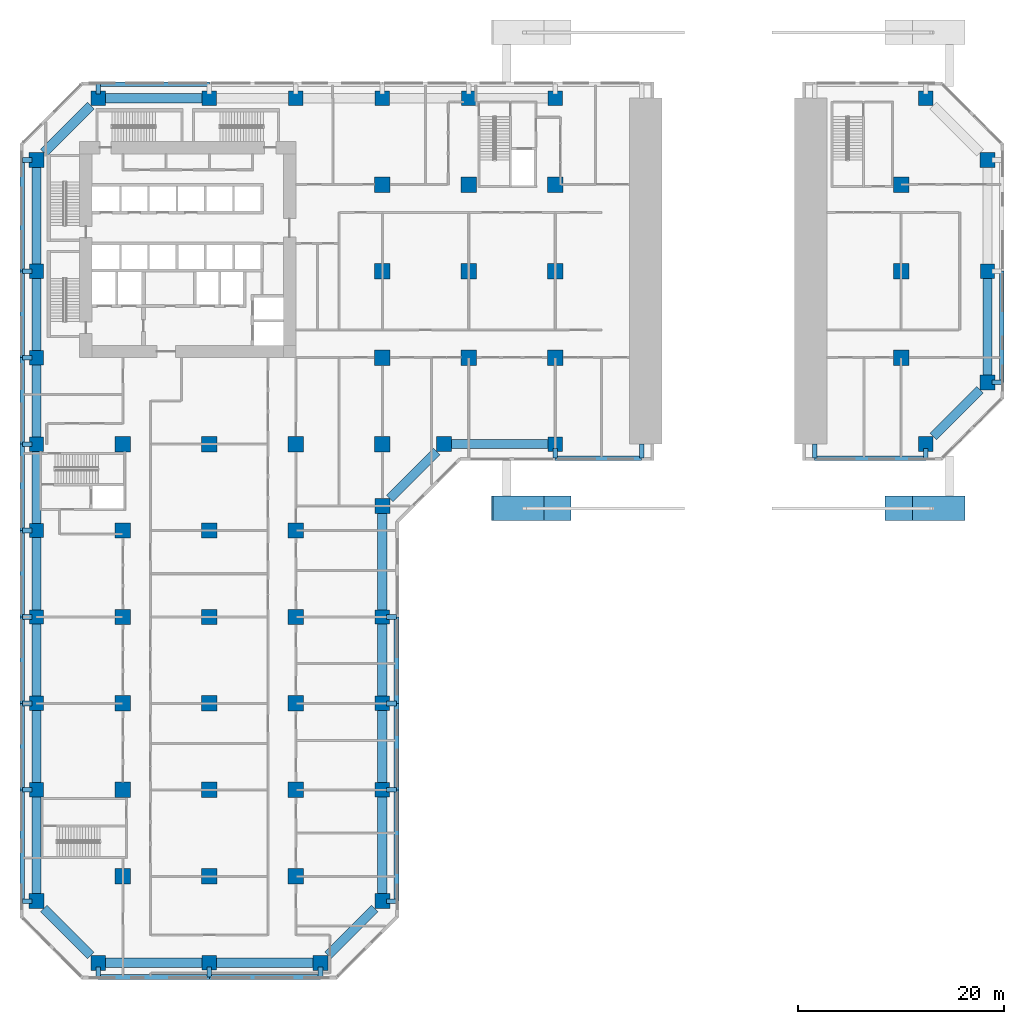
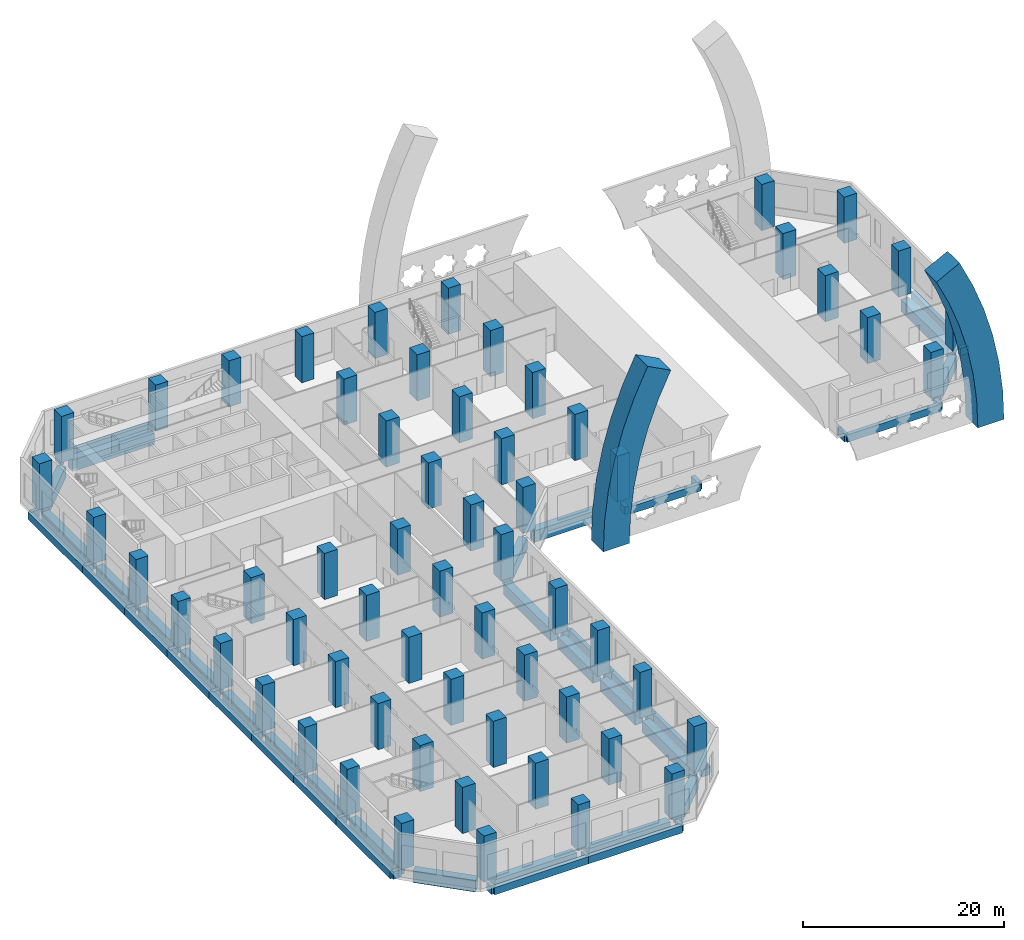
# One storey, part 1 of 19: 61 beams, 61 columns, 2 members.
"""IFC4 building model written with IfcOpenShell, lengths in metres."""

from ifc_helpers import new_model, si_unit, direction, frame, origin, origin_2d, place, context, subcontext, project, spatial, polyline, rectangle, outline, extrude, material, material_profile, profile_set, type_object, element, save


model = new_model("IFC4")

# Units and contexts
model_context = context("Model", 3, precision=1e-05, world=origin(), true_north=direction((0.0, 1.0)))
body_context = subcontext(model_context, "Body", "Model", "MODEL_VIEW")
ifc_project = project(units=[si_unit("LENGTHUNIT", "METRE"), si_unit("AREAUNIT", "SQUARE_METRE"), si_unit("VOLUMEUNIT", "CUBIC_METRE"), si_unit("PLANEANGLEUNIT", "RADIAN"), si_unit("MASSUNIT", "GRAM", prefix="KILO")], contexts=[model_context])

# Site, building, storey
site_placement = place(None, origin())
site = spatial("IfcSite", under=ifc_project, at=site_placement, CompositionType="ELEMENT")
building_placement = place(site_placement, origin())
building = spatial("IfcBuilding", under=site, at=building_placement, Name="Kawkab Arch Medical Tower", CompositionType="ELEMENT")
storey_placement = place(building_placement, frame((0.0, 0.0, 12.60009765625)))
storey = spatial("IfcBuildingStorey", under=building, at=storey_placement, Name="L03", CompositionType="ELEMENT", Elevation=12.60009765625)

# Columns
ifc_material_1 = material(Name="Concrete C60/75", Category="concrete")
ifc_material_profile_1 = material_profile(ifc_material_1, rectangle(XDim=1.39990234375, YDim=1.39990234375, at=origin_2d()), Name="RC 1400x1400")
ifc_profile_set_1 = profile_set([ifc_material_profile_1], Name="Concrete C60/75")
column_type_1 = type_object("IfcColumnType", Name="RC 1400x1400 column C60/75", PredefinedType="COLUMN", material=ifc_profile_set_1)
for number, where, z_axis, x_axis, name in (
    (1, (16.800048828125, 0.0, 0.0), (0.0, 0.0, 1.0), (1.0, 0.0, 0.0), "Column RC 1400x1400"),
    (2, (25.199951171875, 0.0, 0.0), (0.0, 0.0, 1.0), (1.0, 0.0, 0.0), "Column RC 1400x1400"),
    (3, (33.60009765625, 0.0, 0.0), (0.0, 0.0, 1.0), (1.0, 0.0, 0.0), "Column RC 1400x1400"),
    (4, (42.0, 0.0, 0.0), (0.0, 0.0, 1.0), (1.0, 0.0, 0.0), "Column RC 1400x1400"),
    (5, (50.39990234375, 0.0, 0.0), (0.0, 0.0, 1.0), (1.0, 0.0, 0.0), "Column RC 1400x1400"),
    (6, (0.0, -16.800048828125, 0.0), (0.0, 0.0, 1.0), (1.0, 0.0, 0.0), "Column RC 1400x1400"),
    (7, (92.39990234375, -16.800048828125, 0.0), (0.0, 0.0, 1.0), (1.0, 0.0, 0.0), "Column RC 1400x1400"),
    (8, (0.0, -25.199951171875, 0.0), (0.0, 0.0, 1.0), (1.0, 0.0, 0.0), "Column RC 1400x1400"),
    (9, (0.0, -33.60009765625, 0.0), (0.0, 0.0, 1.0), (1.0, 0.0, 0.0), "Column RC 1400x1400"),
    (10, (50.39990234375, -33.60009765625, 0.0), (0.0, 0.0, 1.0), (1.0, 0.0, 0.0), "Column RC 1400x1400"),
    (11, (0.0, -42.0, 0.0), (0.0, 0.0, 1.0), (1.0, 0.0, 0.0), "Column RC 1400x1400"),
    (12, (0.0, -50.39990234375, 0.0), (0.0, 0.0, 1.0), (1.0, 0.0, 0.0), "Column RC 1400x1400"),
    (13, (33.60009765625, -50.39990234375, 0.0), (0.0, 0.0, 1.0), (1.0, 0.0, 0.0), "Column RC 1400x1400"),
    (14, (0.0, -58.800048828125, 0.0), (0.0, 0.0, 1.0), (1.0, 0.0, 0.0), "Column RC 1400x1400"),
    (15, (33.60009765625, -58.800048828125, 0.0), (0.0, 0.0, 1.0), (1.0, 0.0, 0.0), "Column RC 1400x1400"),
    (16, (0.0, -67.199951171875, 0.0), (0.0, 0.0, 1.0), (1.0, 0.0, 0.0), "Column RC 1400x1400"),
    (17, (33.60009765625, -67.199951171875, 0.0), (0.0, 0.0, 1.0), (1.0, 0.0, 0.0), "Column RC 1400x1400"),
    (18, (16.800048828125, -84.0, 0.0), (0.0, 0.0, 1.0), (1.0, 0.0, 0.0), "Column RC 1400x1400"),
):
    element("IfcColumn", number, at=place(storey_placement, frame(where, z_axis=z_axis, x_axis=x_axis)), inside=storey, type_object=column_type_1, Name=name, PredefinedType="COLUMN", context=body_context, shape_type="SweptSolid", body=[
        extrude(rectangle(XDim=1.39990234375, YDim=1.39990234375, at=origin_2d()), origin(), (0.0, 0.0, 1.0), 5.599853515625),
    ])
ifc_material_2 = material(Name="Concrete C60/75", Category="concrete")
ifc_material_profile_2 = material_profile(ifc_material_2, rectangle(XDim=1.449951171875, YDim=1.449951171875, at=origin_2d()), Name="RC 1450x1450")
ifc_profile_set_2 = profile_set([ifc_material_profile_2], Name="Concrete C60/75")
column_type_2 = type_object("IfcColumnType", Name="RC 1450x1450 column C60/75", PredefinedType="COLUMN", material=ifc_profile_set_2)
for number, where, z_axis, x_axis, name in (
    (19, (6.0, 0.0, 0.0), (0.0, 0.0, 1.0), (1.0, 0.0, 0.0), "Column RC 1450x1450"),
    (20, (86.39990234375, 0.0, 0.0), (0.0, 0.0, 1.0), (1.0, 0.0, 0.0), "Column RC 1450x1450"),
    (21, (0.0, -6.0, 0.0), (0.0, 0.0, 1.0), (1.0, 0.0, 0.0), "Column RC 1450x1450"),
    (22, (92.39990234375, -6.0, 0.0), (0.0, 0.0, 1.0), (1.0, 0.0, 0.0), "Column RC 1450x1450"),
    (23, (92.39990234375, -27.60009765625, 0.0), (0.0, 0.0, 1.0), (1.0, 0.0, 0.0), "Column RC 1450x1450"),
    (24, (39.60009765625, -33.60009765625, 0.0), (0.0, 0.0, 1.0), (1.0, 0.0, 0.0), "Column RC 1450x1450"),
    (25, (86.39990234375, -33.60009765625, 0.0), (0.0, 0.0, 1.0), (1.0, 0.0, 0.0), "Column RC 1450x1450"),
    (26, (33.60009765625, -39.60009765625, 0.0), (0.0, 0.0, 1.0), (1.0, 0.0, 0.0), "Column RC 1450x1450"),
    (27, (0.0, -78.0, 0.0), (0.0, 0.0, 1.0), (1.0, 0.0, 0.0), "Column RC 1450x1450"),
    (28, (33.60009765625, -78.0, 0.0), (0.0, 0.0, 1.0), (1.0, 0.0, 0.0), "Column RC 1450x1450"),
    (29, (6.0, -84.0, 0.0), (0.0, 0.0, 1.0), (1.0, 0.0, 0.0), "Column RC 1450x1450"),
    (30, (27.60009765625, -84.0, 0.0), (0.0, 0.0, 1.0), (1.0, 0.0, 0.0), "Column RC 1450x1450"),
):
    element("IfcColumn", number, at=place(storey_placement, frame(where, z_axis=z_axis, x_axis=x_axis)), inside=storey, type_object=column_type_2, Name=name, PredefinedType="COLUMN", context=body_context, shape_type="SweptSolid", body=[
        extrude(rectangle(XDim=1.449951171875, YDim=1.449951171875, at=origin_2d()), origin(), (0.0, 0.0, 1.0), 5.599853515625),
    ])
ifc_material_3 = material(Name="Concrete C60/75", Category="concrete")
ifc_material_profile_3 = material_profile(ifc_material_3, rectangle(XDim=1.5, YDim=1.5, at=origin_2d()), Name="RC 1500x1500")
ifc_profile_set_3 = profile_set([ifc_material_profile_3], Name="Concrete C60/75")
column_type_3 = type_object("IfcColumnType", Name="RC 1500x1500 column C60/75", PredefinedType="COLUMN", material=ifc_profile_set_3)
for number, where, z_axis, x_axis, name in (
    (31, (33.60009765625, -8.39990234375, 0.0), (0.0, 0.0, 1.0), (1.0, 0.0, 0.0), "Column RC 1500x1500"),
    (32, (42.0, -8.39990234375, 0.0), (0.0, 0.0, 1.0), (1.0, 0.0, 0.0), "Column RC 1500x1500"),
    (33, (50.39990234375, -8.39990234375, 0.0), (0.0, 0.0, 1.0), (1.0, 0.0, 0.0), "Column RC 1500x1500"),
):
    element("IfcColumn", number, at=place(storey_placement, frame(where, z_axis=z_axis, x_axis=x_axis)), inside=storey, type_object=column_type_3, Name=name, PredefinedType="COLUMN", context=body_context, shape_type="SweptSolid", body=[
        extrude(rectangle(XDim=1.5, YDim=1.5, at=origin_2d()), origin(), (0.0, 0.0, 1.0), 5.599853515625),
    ])
column_placement = place(storey_placement, frame((84.0, -8.39990234375, 0.0), z_axis=(0.0, 0.0, 1.0), x_axis=(1.0, 0.0, 0.0)))
element("IfcColumn", 34, at=column_placement, inside=storey, type_object=column_type_3, Name="Column RC 1500x1500", PredefinedType="COLUMN", context=body_context, shape_type="SweptSolid", body=[
    extrude(rectangle(XDim=1.5, YDim=1.5, at=origin_2d()), origin(), (0.0, 0.0, 1.0), 5.599853515625),
])
for number, where, z_axis, x_axis, name in (
    (35, (33.60009765625, -16.800048828125, 0.0), (0.0, 0.0, 1.0), (1.0, 0.0, 0.0), "Column RC 1500x1500"),
    (36, (42.0, -16.800048828125, 0.0), (0.0, 0.0, 1.0), (1.0, 0.0, 0.0), "Column RC 1500x1500"),
    (37, (50.39990234375, -16.800048828125, 0.0), (0.0, 0.0, 1.0), (1.0, 0.0, 0.0), "Column RC 1500x1500"),
    (38, (84.0, -16.800048828125, 0.0), (0.0, 0.0, 1.0), (1.0, 0.0, 0.0), "Column RC 1500x1500"),
    (39, (33.60009765625, -25.199951171875, 0.0), (0.0, 0.0, 1.0), (1.0, 0.0, 0.0), "Column RC 1500x1500"),
    (40, (42.0, -25.199951171875, 0.0), (0.0, 0.0, 1.0), (1.0, 0.0, 0.0), "Column RC 1500x1500"),
    (41, (50.39990234375, -25.199951171875, 0.0), (0.0, 0.0, 1.0), (1.0, 0.0, 0.0), "Column RC 1500x1500"),
    (42, (84.0, -25.199951171875, 0.0), (0.0, 0.0, 1.0), (1.0, 0.0, 0.0), "Column RC 1500x1500"),
    (43, (8.39990234375, -33.60009765625, 0.0), (0.0, 0.0, 1.0), (1.0, 0.0, 0.0), "Column RC 1500x1500"),
    (44, (16.800048828125, -33.60009765625, 0.0), (0.0, 0.0, 1.0), (1.0, 0.0, 0.0), "Column RC 1500x1500"),
    (45, (25.199951171875, -33.60009765625, 0.0), (0.0, 0.0, 1.0), (1.0, 0.0, 0.0), "Column RC 1500x1500"),
    (46, (33.60009765625, -33.60009765625, 0.0), (0.0, 0.0, 1.0), (1.0, 0.0, 0.0), "Column RC 1500x1500"),
    (47, (8.39990234375, -42.0, 0.0), (0.0, 0.0, 1.0), (1.0, 0.0, 0.0), "Column RC 1500x1500"),
    (48, (16.800048828125, -42.0, 0.0), (0.0, 0.0, 1.0), (1.0, 0.0, 0.0), "Column RC 1500x1500"),
    (49, (25.199951171875, -42.0, 0.0), (0.0, 0.0, 1.0), (1.0, 0.0, 0.0), "Column RC 1500x1500"),
    (50, (8.39990234375, -50.39990234375, 0.0), (0.0, 0.0, 1.0), (1.0, 0.0, 0.0), "Column RC 1500x1500"),
    (51, (16.800048828125, -50.39990234375, 0.0), (0.0, 0.0, 1.0), (1.0, 0.0, 0.0), "Column RC 1500x1500"),
    (52, (25.199951171875, -50.39990234375, 0.0), (0.0, 0.0, 1.0), (1.0, 0.0, 0.0), "Column RC 1500x1500"),
    (53, (8.39990234375, -58.800048828125, 0.0), (0.0, 0.0, 1.0), (1.0, 0.0, 0.0), "Column RC 1500x1500"),
    (54, (16.800048828125, -58.800048828125, 0.0), (0.0, 0.0, 1.0), (1.0, 0.0, 0.0), "Column RC 1500x1500"),
    (55, (25.199951171875, -58.800048828125, 0.0), (0.0, 0.0, 1.0), (1.0, 0.0, 0.0), "Column RC 1500x1500"),
    (56, (8.39990234375, -67.199951171875, 0.0), (0.0, 0.0, 1.0), (1.0, 0.0, 0.0), "Column RC 1500x1500"),
    (57, (16.800048828125, -67.199951171875, 0.0), (0.0, 0.0, 1.0), (1.0, 0.0, 0.0), "Column RC 1500x1500"),
    (58, (25.199951171875, -67.199951171875, 0.0), (0.0, 0.0, 1.0), (1.0, 0.0, 0.0), "Column RC 1500x1500"),
    (59, (8.39990234375, -75.60009765625, 0.0), (0.0, 0.0, 1.0), (1.0, 0.0, 0.0), "Column RC 1500x1500"),
    (60, (16.800048828125, -75.60009765625, 0.0), (0.0, 0.0, 1.0), (1.0, 0.0, 0.0), "Column RC 1500x1500"),
    (61, (25.199951171875, -75.60009765625, 0.0), (0.0, 0.0, 1.0), (1.0, 0.0, 0.0), "Column RC 1500x1500"),
):
    element("IfcColumn", number, at=place(storey_placement, frame(where, z_axis=z_axis, x_axis=x_axis)), inside=storey, type_object=column_type_3, Name=name, PredefinedType="COLUMN", context=body_context, shape_type="SweptSolid", body=[
        extrude(rectangle(XDim=1.5, YDim=1.5, at=origin_2d()), origin(), (0.0, 0.0, 1.0), 5.599853515625),
    ])

# Members
ifc_material_4 = material(Name="Concrete C60/75", Category="concrete")
member_type = type_object("IfcMemberType", Name="Arch rib segment 3000 C60/75", PredefinedType="STRUT", material=ifc_material_4)
placement = place(storey_placement, frame((0.0, -38.64990234375, -12.60009765625), z_axis=(0.0, -1.0, 0.0), x_axis=(1.0, 0.0, 0.0)))
element("IfcMember", 62, at=placement, inside=storey, type_object=member_type, Name="Portal arch rib SW", PredefinedType="STRUT", context=body_context, shape_type="SweptSolid", body=[
    extrude(outline(polyline([(47.199951171875, 12.60009765625), (47.33544921875, 15.94970703125), (47.73779296875, 19.27783203125), (48.40673828125, 22.562744140625), (49.33642578125, 25.7841796875), (50.52099609375, 28.920654296875), (51.953369140625, 31.95166015625), (49.29248046875, 33.34228515625), (47.757080078125, 30.093505859375), (46.487548828125, 26.731689453125), (45.4912109375, 23.279296875), (44.774169921875, 19.758056640625), (44.342529296875, 16.190185546875), (44.199951171875, 12.60009765625), (47.199951171875, 12.60009765625)])), origin(), (0.0, 0.0, 1.0), 2.400146484375),
])
element("IfcMember", 63, at=placement, inside=storey, type_object=member_type, Name="Portal arch rib SE", PredefinedType="STRUT", context=body_context, shape_type="SweptSolid", body=[
    extrude(outline(polyline([(82.446533203125, 31.95166015625), (83.879150390625, 28.920654296875), (85.0634765625, 25.7841796875), (85.9931640625, 22.562744140625), (86.662109375, 19.27783203125), (87.064697265625, 15.94970703125), (87.199951171875, 12.60009765625), (90.199951171875, 12.60009765625), (90.057373046875, 16.190185546875), (89.6259765625, 19.758056640625), (88.90869140625, 23.279296875), (87.91259765625, 26.731689453125), (86.642822265625, 30.093505859375), (85.107421875, 33.34228515625), (82.446533203125, 31.95166015625)])), origin(), (0.0, 0.0, 1.0), 2.400146484375),
])

# Beams
ifc_material_5 = material(Name="Concrete C60/75", Category="concrete")
ifc_material_profile_4 = material_profile(ifc_material_5, rectangle(XDim=0.449951171875, YDim=0.89990234375, at=origin_2d()), Name="RC 450x900")
ifc_profile_set_4 = profile_set([ifc_material_profile_4], Name="Concrete C60/75")
beam_type_1 = type_object("IfcBeamType", Name="Podium edge beam RC 450x900 C60/75", PredefinedType="BEAM", material=ifc_profile_set_4)
beam_1_placement = place(storey_placement, frame((50.39990234375, -34.97509765625, -0.800048828125), z_axis=(1.0, 0.0, 0.0), x_axis=(0.0, 1.0, 0.0)))
element("IfcBeam", 64, at=beam_1_placement, inside=storey, type_object=beam_type_1, Name="Podium edge beam L03 R02.1", PredefinedType="BEAM", context=body_context, shape_type="SweptSolid", body=[
    extrude(rectangle(XDim=0.449951171875, YDim=0.89990234375, at=origin_2d()), origin(), (0.0, 0.0, 1.0), 8.400146484375),
])
beam_2_placement = place(storey_placement, frame((50.39990234375, -34.02490234375, -0.800048828125), z_axis=(0.0, -1.0, 0.0), x_axis=(1.0, 0.0, 0.0)))
element("IfcBeam", 65, at=beam_2_placement, inside=storey, type_object=beam_type_1, Name="Podium cantilever beam L03 R02.1", PredefinedType="BEAM", context=body_context, shape_type="SweptSolid", body=[
    extrude(rectangle(XDim=0.449951171875, YDim=0.89990234375, at=origin_2d()), origin(), (0.0, 0.0, 1.0), 0.9501953125),
])
beam_3_placement = place(storey_placement, frame((58.800048828125, -33.590087890625, -0.800048828125), z_axis=(0.0, -1.0, 0.0), x_axis=(1.0, 0.0, 0.0)))
element("IfcBeam", 66, at=beam_3_placement, inside=storey, type_object=beam_type_1, Name="Podium cantilever beam L03 R02.2", PredefinedType="BEAM", context=body_context, shape_type="SweptSolid", body=[
    extrude(rectangle(XDim=0.449951171875, YDim=0.89990234375, at=origin_2d()), origin(), (0.0, 0.0, 1.0), 1.385009765625),
])
beam_4_placement = place(storey_placement, frame((16.800048828125, 1.375, -0.800048828125), z_axis=(-1.0, 0.0, 0.0), x_axis=(0.0, -1.0, 0.0)))
element("IfcBeam", 67, at=beam_4_placement, inside=storey, type_object=beam_type_1, Name="Podium edge beam L03 R04.6", PredefinedType="BEAM", context=body_context, shape_type="SweptSolid", body=[
    extrude(rectangle(XDim=0.449951171875, YDim=0.89990234375, at=origin_2d()), origin(), (0.0, 0.0, 1.0), 10.800048828125),
])
beam_5_placement = place(storey_placement, frame((6.0, 0.425048828125, -0.800048828125), z_axis=(0.0, 1.0, 0.0), x_axis=(-1.0, 0.0, 0.0)))
element("IfcBeam", 68, at=beam_5_placement, inside=storey, type_object=beam_type_1, Name="Podium cantilever beam L03 R04.7", PredefinedType="BEAM", context=body_context, shape_type="SweptSolid", body=[
    extrude(rectangle(XDim=0.449951171875, YDim=0.89990234375, at=origin_2d()), origin(), (0.0, 0.0, 1.0), 0.949951171875),
])
beam_6_placement = place(storey_placement, frame((-1.375, -6.0, -0.800048828125), z_axis=(0.0, -1.0, 0.0), x_axis=(1.0, 0.0, 0.0)))
element("IfcBeam", 69, at=beam_6_placement, inside=storey, type_object=beam_type_1, Name="Podium edge beam L03 R06.1", PredefinedType="BEAM", context=body_context, shape_type="SweptSolid", body=[
    extrude(rectangle(XDim=0.449951171875, YDim=0.89990234375, at=origin_2d()), origin(), (0.0, 0.0, 1.0), 10.800048828125),
])
beam_7_placement = place(storey_placement, frame((-1.375, -16.800048828125, -0.800048828125), z_axis=(0.0, -1.0, 0.0), x_axis=(1.0, 0.0, 0.0)))
element("IfcBeam", 70, at=beam_7_placement, inside=storey, type_object=beam_type_1, Name="Podium edge beam L03 R06.2", PredefinedType="BEAM", context=body_context, shape_type="SweptSolid", body=[
    extrude(rectangle(XDim=0.449951171875, YDim=0.89990234375, at=origin_2d()), origin(), (0.0, 0.0, 1.0), 8.39990234375),
])
beam_8_placement = place(storey_placement, frame((-1.375, -25.199951171875, -0.800048828125), z_axis=(0.0, -1.0, 0.0), x_axis=(1.0, 0.0, 0.0)))
element("IfcBeam", 71, at=beam_8_placement, inside=storey, type_object=beam_type_1, Name="Podium edge beam L03 R06.3", PredefinedType="BEAM", context=body_context, shape_type="SweptSolid", body=[
    extrude(rectangle(XDim=0.449951171875, YDim=0.89990234375, at=origin_2d()), origin(), (0.0, 0.0, 1.0), 8.400146484375),
])
for number, where, z_axis, x_axis, name in (
    (72, (-1.375, -33.60009765625, -0.800048828125), (0.0, -1.0, 0.0), (1.0, 0.0, 0.0), "Podium edge beam L03 R06.4"),
    (73, (-1.375, -42.0, -0.800048828125), (0.0, -1.0, 0.0), (1.0, 0.0, 0.0), "Podium edge beam L03 R06.5"),
):
    element("IfcBeam", number, at=place(storey_placement, frame(where, z_axis=z_axis, x_axis=x_axis)), inside=storey, type_object=beam_type_1, Name=name, PredefinedType="BEAM", context=body_context, shape_type="SweptSolid", body=[
        extrude(rectangle(XDim=0.449951171875, YDim=0.89990234375, at=origin_2d()), origin(), (0.0, 0.0, 1.0), 8.39990234375),
    ])
beam_9_placement = place(storey_placement, frame((-1.375, -50.39990234375, -0.800048828125), z_axis=(0.0, -1.0, 0.0), x_axis=(1.0, 0.0, 0.0)))
element("IfcBeam", 74, at=beam_9_placement, inside=storey, type_object=beam_type_1, Name="Podium edge beam L03 R06.6", PredefinedType="BEAM", context=body_context, shape_type="SweptSolid", body=[
    extrude(rectangle(XDim=0.449951171875, YDim=0.89990234375, at=origin_2d()), origin(), (0.0, 0.0, 1.0), 8.400146484375),
])
beam_10_placement = place(storey_placement, frame((-1.375, -58.800048828125, -0.800048828125), z_axis=(0.0, -1.0, 0.0), x_axis=(1.0, 0.0, 0.0)))
element("IfcBeam", 75, at=beam_10_placement, inside=storey, type_object=beam_type_1, Name="Podium edge beam L03 R06.7", PredefinedType="BEAM", context=body_context, shape_type="SweptSolid", body=[
    extrude(rectangle(XDim=0.449951171875, YDim=0.89990234375, at=origin_2d()), origin(), (0.0, 0.0, 1.0), 8.39990234375),
])
beam_11_placement = place(storey_placement, frame((-1.375, -67.199951171875, -0.800048828125), z_axis=(0.0, -1.0, 0.0), x_axis=(1.0, 0.0, 0.0)))
element("IfcBeam", 76, at=beam_11_placement, inside=storey, type_object=beam_type_1, Name="Podium edge beam L03 R06.8", PredefinedType="BEAM", context=body_context, shape_type="SweptSolid", body=[
    extrude(rectangle(XDim=0.449951171875, YDim=0.89990234375, at=origin_2d()), origin(), (0.0, 0.0, 1.0), 10.800048828125),
])
for number, where, z_axis, x_axis, name in (
    (77, (-0.425048828125, -6.0, -0.800048828125), (-1.0, 0.0, 0.0), (0.0, -1.0, 0.0), "Podium cantilever beam L03 R06.1"),
    (78, (-0.425048828125, -16.800048828125, -0.800048828125), (-1.0, 0.0, 0.0), (0.0, -1.0, 0.0), "Podium cantilever beam L03 R06.2"),
    (79, (-0.425048828125, -25.199951171875, -0.800048828125), (-1.0, 0.0, 0.0), (0.0, -1.0, 0.0), "Podium cantilever beam L03 R06.3"),
    (80, (-0.425048828125, -33.60009765625, -0.800048828125), (-1.0, 0.0, 0.0), (0.0, -1.0, 0.0), "Podium cantilever beam L03 R06.4"),
    (81, (-0.425048828125, -42.0, -0.800048828125), (-1.0, 0.0, 0.0), (0.0, -1.0, 0.0), "Podium cantilever beam L03 R06.5"),
    (82, (-0.425048828125, -50.39990234375, -0.800048828125), (-1.0, 0.0, 0.0), (0.0, -1.0, 0.0), "Podium cantilever beam L03 R06.6"),
    (83, (-0.425048828125, -58.800048828125, -0.800048828125), (-1.0, 0.0, 0.0), (0.0, -1.0, 0.0), "Podium cantilever beam L03 R06.7"),
    (84, (-0.425048828125, -67.199951171875, -0.800048828125), (-1.0, 0.0, 0.0), (0.0, -1.0, 0.0), "Podium cantilever beam L03 R06.8"),
    (85, (-0.425048828125, -78.0, -0.800048828125), (-1.0, 0.0, 0.0), (0.0, -1.0, 0.0), "Podium cantilever beam L03 R06.9"),
):
    element("IfcBeam", number, at=place(storey_placement, frame(where, z_axis=z_axis, x_axis=x_axis)), inside=storey, type_object=beam_type_1, Name=name, PredefinedType="BEAM", context=body_context, shape_type="SweptSolid", body=[
        extrude(rectangle(XDim=0.449951171875, YDim=0.89990234375, at=origin_2d()), origin(), (0.0, 0.0, 1.0), 0.949951171875),
    ])
for number, where, z_axis, x_axis, name in (
    (86, (6.0, -85.375, -0.800048828125), (1.0, 0.0, 0.0), (0.0, 1.0, 0.0), "Podium edge beam L03 R08.1"),
    (87, (16.800048828125, -85.375, -0.800048828125), (1.0, 0.0, 0.0), (0.0, 1.0, 0.0), "Podium edge beam L03 R08.2"),
):
    element("IfcBeam", number, at=place(storey_placement, frame(where, z_axis=z_axis, x_axis=x_axis)), inside=storey, type_object=beam_type_1, Name=name, PredefinedType="BEAM", context=body_context, shape_type="SweptSolid", body=[
        extrude(rectangle(XDim=0.449951171875, YDim=0.89990234375, at=origin_2d()), origin(), (0.0, 0.0, 1.0), 10.800048828125),
    ])
for number, where, z_axis, x_axis, name in (
    (88, (6.0, -84.425048828125, -0.800048828125), (0.0, -1.0, 0.0), (1.0, 0.0, 0.0), "Podium cantilever beam L03 R08.1"),
    (89, (16.800048828125, -84.425048828125, -0.800048828125), (0.0, -1.0, 0.0), (1.0, 0.0, 0.0), "Podium cantilever beam L03 R08.2"),
    (90, (27.60009765625, -84.425048828125, -0.800048828125), (0.0, -1.0, 0.0), (1.0, 0.0, 0.0), "Podium cantilever beam L03 R08.3"),
):
    element("IfcBeam", number, at=place(storey_placement, frame(where, z_axis=z_axis, x_axis=x_axis)), inside=storey, type_object=beam_type_1, Name=name, PredefinedType="BEAM", context=body_context, shape_type="SweptSolid", body=[
        extrude(rectangle(XDim=0.449951171875, YDim=0.89990234375, at=origin_2d()), origin(), (0.0, 0.0, 1.0), 0.949951171875),
    ])
beam_12_placement = place(storey_placement, frame((34.97509765625, -78.0, -0.800048828125), z_axis=(0.0, 1.0, 0.0), x_axis=(-1.0, 0.0, 0.0)))
element("IfcBeam", 91, at=beam_12_placement, inside=storey, type_object=beam_type_1, Name="Podium edge beam L03 R10.1", PredefinedType="BEAM", context=body_context, shape_type="SweptSolid", body=[
    extrude(rectangle(XDim=0.449951171875, YDim=0.89990234375, at=origin_2d()), origin(), (0.0, 0.0, 1.0), 10.800048828125),
])
beam_13_placement = place(storey_placement, frame((34.97509765625, -67.199951171875, -0.800048828125), z_axis=(0.0, 1.0, 0.0), x_axis=(-1.0, 0.0, 0.0)))
element("IfcBeam", 92, at=beam_13_placement, inside=storey, type_object=beam_type_1, Name="Podium edge beam L03 R10.2", PredefinedType="BEAM", context=body_context, shape_type="SweptSolid", body=[
    extrude(rectangle(XDim=0.449951171875, YDim=0.89990234375, at=origin_2d()), origin(), (0.0, 0.0, 1.0), 8.39990234375),
])
beam_14_placement = place(storey_placement, frame((34.97509765625, -58.800048828125, -0.800048828125), z_axis=(0.0, 1.0, 0.0), x_axis=(-1.0, 0.0, 0.0)))
element("IfcBeam", 93, at=beam_14_placement, inside=storey, type_object=beam_type_1, Name="Podium edge beam L03 R10.3", PredefinedType="BEAM", context=body_context, shape_type="SweptSolid", body=[
    extrude(rectangle(XDim=0.449951171875, YDim=0.89990234375, at=origin_2d()), origin(), (0.0, 0.0, 1.0), 8.400146484375),
])
for number, where, z_axis, x_axis, name in (
    (94, (34.02490234375, -78.0, -0.800048828125), (1.0, 0.0, 0.0), (0.0, 1.0, 0.0), "Podium cantilever beam L03 R10.1"),
    (95, (34.02490234375, -67.199951171875, -0.800048828125), (1.0, 0.0, 0.0), (0.0, 1.0, 0.0), "Podium cantilever beam L03 R10.2"),
    (96, (34.02490234375, -58.800048828125, -0.800048828125), (1.0, 0.0, 0.0), (0.0, 1.0, 0.0), "Podium cantilever beam L03 R10.3"),
    (97, (34.02490234375, -50.39990234375, -0.800048828125), (1.0, 0.0, 0.0), (0.0, 1.0, 0.0), "Podium cantilever beam L03 R10.4"),
):
    element("IfcBeam", number, at=place(storey_placement, frame(where, z_axis=z_axis, x_axis=x_axis)), inside=storey, type_object=beam_type_1, Name=name, PredefinedType="BEAM", context=body_context, shape_type="SweptSolid", body=[
        extrude(rectangle(XDim=0.449951171875, YDim=0.89990234375, at=origin_2d()), origin(), (0.0, 0.0, 1.0), 0.9501953125),
    ])
beam_15_placement = place(storey_placement, frame((75.60009765625, -34.97509765625, -0.800048828125), z_axis=(1.0, 0.0, 0.0), x_axis=(0.0, 1.0, 0.0)))
element("IfcBeam", 98, at=beam_15_placement, inside=storey, type_object=beam_type_1, Name="Podium edge beam L03 R14.1", PredefinedType="BEAM", context=body_context, shape_type="SweptSolid", body=[
    extrude(rectangle(XDim=0.449951171875, YDim=0.89990234375, at=origin_2d()), origin(), (0.0, 0.0, 1.0), 10.7998046875),
])
beam_16_placement = place(storey_placement, frame((75.60009765625, -33.590087890625, -0.800048828125), z_axis=(0.0, -1.0, 0.0), x_axis=(1.0, 0.0, 0.0)))
element("IfcBeam", 99, at=beam_16_placement, inside=storey, type_object=beam_type_1, Name="Podium cantilever beam L03 R14.1", PredefinedType="BEAM", context=body_context, shape_type="SweptSolid", body=[
    extrude(rectangle(XDim=0.449951171875, YDim=0.89990234375, at=origin_2d()), origin(), (0.0, 0.0, 1.0), 1.385009765625),
])
beam_17_placement = place(storey_placement, frame((86.39990234375, -34.02490234375, -0.800048828125), z_axis=(0.0, -1.0, 0.0), x_axis=(1.0, 0.0, 0.0)))
element("IfcBeam", 100, at=beam_17_placement, inside=storey, type_object=beam_type_1, Name="Podium cantilever beam L03 R14.2", PredefinedType="BEAM", context=body_context, shape_type="SweptSolid", body=[
    extrude(rectangle(XDim=0.449951171875, YDim=0.89990234375, at=origin_2d()), origin(), (0.0, 0.0, 1.0), 0.9501953125),
])
beam_18_placement = place(storey_placement, frame((93.77490234375, -27.60009765625, -0.800048828125), z_axis=(0.0, 1.0, 0.0), x_axis=(-1.0, 0.0, 0.0)))
element("IfcBeam", 101, at=beam_18_placement, inside=storey, type_object=beam_type_1, Name="Podium edge beam L03 R16.1", PredefinedType="BEAM", context=body_context, shape_type="SweptSolid", body=[
    extrude(rectangle(XDim=0.449951171875, YDim=0.89990234375, at=origin_2d()), origin(), (0.0, 0.0, 1.0), 10.800048828125),
])
beam_19_placement = place(storey_placement, frame((92.824951171875, -27.60009765625, -0.800048828125), z_axis=(1.0, 0.0, 0.0), x_axis=(0.0, 1.0, 0.0)))
element("IfcBeam", 102, at=beam_19_placement, inside=storey, type_object=beam_type_1, Name="Podium cantilever beam L03 R16.1", PredefinedType="BEAM", context=body_context, shape_type="SweptSolid", body=[
    extrude(rectangle(XDim=0.449951171875, YDim=0.89990234375, at=origin_2d()), origin(), (0.0, 0.0, 1.0), 0.949951171875),
])
ifc_material_6 = material(Name="Concrete C60/75", Category="concrete")
ifc_material_profile_5 = material_profile(ifc_material_6, rectangle(XDim=0.89990234375, YDim=1.39990234375, at=origin_2d()), Name="RC 900x1400")
ifc_profile_set_5 = profile_set([ifc_material_profile_5], Name="Concrete C60/75")
beam_type_2 = type_object("IfcBeamType", Name="RC 900x1400 beam C60/75", PredefinedType="BEAM", material=ifc_profile_set_5)
beam_20_placement = place(storey_placement, frame((0.0, -6.72509765625, -1.050048828125), z_axis=(0.0, -1.0, 0.0), x_axis=(1.0, 0.0, 0.0)))
element("IfcBeam", 103, at=beam_20_placement, inside=storey, type_object=beam_type_2, Name="Podium edge beam L03-01", PredefinedType="BEAM", context=body_context, shape_type="SweptSolid", body=[
    extrude(rectangle(XDim=0.89990234375, YDim=1.39990234375, at=origin_2d()), origin(), (0.0, 0.0, 1.0), 9.375),
])
for number, where, z_axis, x_axis, name in (
    (104, (0.0, -17.5, -1.050048828125), (0.0, -1.0, 0.0), (1.0, 0.0, 0.0), "Podium edge beam L03-02"),
    (105, (0.0, -25.89990234375, -1.050048828125), (0.0, -1.0, 0.0), (1.0, 0.0, 0.0), "Podium edge beam L03-03"),
    (106, (0.0, -34.300048828125, -1.050048828125), (0.0, -1.0, 0.0), (1.0, 0.0, 0.0), "Podium edge beam L03-04"),
    (107, (0.0, -42.699951171875, -1.050048828125), (0.0, -1.0, 0.0), (1.0, 0.0, 0.0), "Podium edge beam L03-05"),
    (108, (0.0, -51.10009765625, -1.050048828125), (0.0, -1.0, 0.0), (1.0, 0.0, 0.0), "Podium edge beam L03-06"),
    (109, (0.0, -59.5, -1.050048828125), (0.0, -1.0, 0.0), (1.0, 0.0, 0.0), "Podium edge beam L03-07"),
):
    element("IfcBeam", number, at=place(storey_placement, frame(where, z_axis=z_axis, x_axis=x_axis)), inside=storey, type_object=beam_type_2, Name=name, PredefinedType="BEAM", context=body_context, shape_type="SweptSolid", body=[
        extrude(rectangle(XDim=0.89990234375, YDim=1.39990234375, at=origin_2d()), origin(), (0.0, 0.0, 1.0), 7.0),
    ])
beam_21_placement = place(storey_placement, frame((0.0, -67.89990234375, -1.050048828125), z_axis=(0.0, -1.0, 0.0), x_axis=(1.0, 0.0, 0.0)))
element("IfcBeam", 110, at=beam_21_placement, inside=storey, type_object=beam_type_2, Name="Podium edge beam L03-08", PredefinedType="BEAM", context=body_context, shape_type="SweptSolid", body=[
    extrude(rectangle(XDim=0.89990234375, YDim=1.39990234375, at=origin_2d()), origin(), (0.0, 0.0, 1.0), 9.375),
])
beam_22_placement = place(storey_placement, frame((0.72509765625, -78.72509765625, -1.050048828125), z_axis=(0.707106781187, -0.707106781187, 0.0), x_axis=(0.707106781187, 0.707106781187, 0.0)))
element("IfcBeam", 111, at=beam_22_placement, inside=storey, type_object=beam_type_2, Name="Podium edge beam L03-09", PredefinedType="BEAM", context=body_context, shape_type="SweptSolid", body=[
    extrude(rectangle(XDim=0.89990234375, YDim=1.39990234375, at=origin_2d()), origin(), (0.0, 0.0, 1.0), 6.434326171875),
])
for number, where, z_axis, x_axis, name in (
    (112, (6.72509765625, -84.0, -1.050048828125), (1.0, 0.0, 0.0), (0.0, 1.0, 0.0), "Podium edge beam L03-10"),
    (113, (17.5, -84.0, -1.050048828125), (1.0, 0.0, 0.0), (0.0, 1.0, 0.0), "Podium edge beam L03-11"),
):
    element("IfcBeam", number, at=place(storey_placement, frame(where, z_axis=z_axis, x_axis=x_axis)), inside=storey, type_object=beam_type_2, Name=name, PredefinedType="BEAM", context=body_context, shape_type="SweptSolid", body=[
        extrude(rectangle(XDim=0.89990234375, YDim=1.39990234375, at=origin_2d()), origin(), (0.0, 0.0, 1.0), 9.375),
    ])
beam_23_placement = place(storey_placement, frame((28.324951171875, -83.27490234375, -1.050048828125), z_axis=(0.707125751951, 0.707087809913, 0.0), x_axis=(-0.707087809913, 0.707125751951, 0.0)))
element("IfcBeam", 114, at=beam_23_placement, inside=storey, type_object=beam_type_2, Name="Podium edge beam L03-12", PredefinedType="BEAM", context=body_context, shape_type="SweptSolid", body=[
    extrude(rectangle(XDim=0.89990234375, YDim=1.39990234375, at=origin_2d()), origin(), (0.0, 0.0, 1.0), 6.4345703125),
])
beam_24_placement = place(storey_placement, frame((33.60009765625, -77.27490234375, -1.050048828125), z_axis=(0.0, 1.0, 0.0), x_axis=(-1.0, 0.0, 0.0)))
element("IfcBeam", 115, at=beam_24_placement, inside=storey, type_object=beam_type_2, Name="Podium edge beam L03-13", PredefinedType="BEAM", context=body_context, shape_type="SweptSolid", body=[
    extrude(rectangle(XDim=0.89990234375, YDim=1.39990234375, at=origin_2d()), origin(), (0.0, 0.0, 1.0), 9.375),
])
for number, where, z_axis, x_axis, name in (
    (116, (33.60009765625, -66.5, -1.050048828125), (0.0, 1.0, 0.0), (-1.0, 0.0, 0.0), "Podium edge beam L03-14"),
    (117, (33.60009765625, -58.10009765625, -1.050048828125), (0.0, 1.0, 0.0), (-1.0, 0.0, 0.0), "Podium edge beam L03-15"),
):
    element("IfcBeam", number, at=place(storey_placement, frame(where, z_axis=z_axis, x_axis=x_axis)), inside=storey, type_object=beam_type_2, Name=name, PredefinedType="BEAM", context=body_context, shape_type="SweptSolid", body=[
        extrude(rectangle(XDim=0.89990234375, YDim=1.39990234375, at=origin_2d()), origin(), (0.0, 0.0, 1.0), 7.0),
    ])
beam_25_placement = place(storey_placement, frame((33.60009765625, -49.699951171875, -1.050048828125), z_axis=(0.0, 1.0, 0.0), x_axis=(-1.0, 0.0, 0.0)))
element("IfcBeam", 118, at=beam_25_placement, inside=storey, type_object=beam_type_2, Name="Podium edge beam L03-16", PredefinedType="BEAM", context=body_context, shape_type="SweptSolid", body=[
    extrude(rectangle(XDim=0.89990234375, YDim=1.39990234375, at=origin_2d()), origin(), (0.0, 0.0, 1.0), 9.375),
])
beam_26_placement = place(storey_placement, frame((34.324951171875, -38.875, -1.050048828125), z_axis=(0.707106781187, 0.707106781187, 0.0), x_axis=(-0.707106781187, 0.707106781187, 0.0)))
element("IfcBeam", 119, at=beam_26_placement, inside=storey, type_object=beam_type_2, Name="Podium edge beam L03-17", PredefinedType="BEAM", context=body_context, shape_type="SweptSolid", body=[
    extrude(rectangle(XDim=0.89990234375, YDim=1.39990234375, at=origin_2d()), origin(), (0.0, 0.0, 1.0), 6.434814453125),
])
beam_27_placement = place(storey_placement, frame((40.324951171875, -33.60009765625, -1.050048828125), z_axis=(1.0, 0.0, 0.0), x_axis=(0.0, 1.0, 0.0)))
element("IfcBeam", 120, at=beam_27_placement, inside=storey, type_object=beam_type_2, Name="Podium edge beam L03-18", PredefinedType="BEAM", context=body_context, shape_type="SweptSolid", body=[
    extrude(rectangle(XDim=0.89990234375, YDim=1.39990234375, at=origin_2d()), origin(), (0.0, 0.0, 1.0), 9.375),
])
beam_28_placement = place(storey_placement, frame((87.125, -32.875, -1.050048828125), z_axis=(0.707106781187, 0.707106781187, 0.0), x_axis=(-0.707106781187, 0.707106781187, 0.0)))
element("IfcBeam", 121, at=beam_28_placement, inside=storey, type_object=beam_type_2, Name="Podium edge beam L03-19", PredefinedType="BEAM", context=body_context, shape_type="SweptSolid", body=[
    extrude(rectangle(XDim=0.89990234375, YDim=1.39990234375, at=origin_2d()), origin(), (0.0, 0.0, 1.0), 6.434814453125),
])
for number, where, z_axis, x_axis, name in (
    (122, (92.39990234375, -26.875, -1.050048828125), (0.0, 1.0, 0.0), (-1.0, 0.0, 0.0), "Podium edge beam L03-20"),
    (123, (16.10009765625, 0.0, -1.050048828125), (-1.0, 0.0, 0.0), (0.0, -1.0, 0.0), "Podium edge beam L03-27"),
):
    element("IfcBeam", number, at=place(storey_placement, frame(where, z_axis=z_axis, x_axis=x_axis)), inside=storey, type_object=beam_type_2, Name=name, PredefinedType="BEAM", context=body_context, shape_type="SweptSolid", body=[
        extrude(rectangle(XDim=0.89990234375, YDim=1.39990234375, at=origin_2d()), origin(), (0.0, 0.0, 1.0), 9.375),
    ])
beam_29_placement = place(storey_placement, frame((5.27490234375, -0.72509765625, -1.050048828125), z_axis=(-0.707106781187, -0.707106781187, 0.0), x_axis=(0.707106781187, -0.707106781187, 0.0)))
element("IfcBeam", 124, at=beam_29_placement, inside=storey, type_object=beam_type_2, Name="Podium edge beam L03-28", PredefinedType="BEAM", context=body_context, shape_type="SweptSolid", body=[
    extrude(rectangle(XDim=0.89990234375, YDim=1.39990234375, at=origin_2d()), origin(), (0.0, 0.0, 1.0), 6.434326171875),
])

save(model, "model.ifc")
